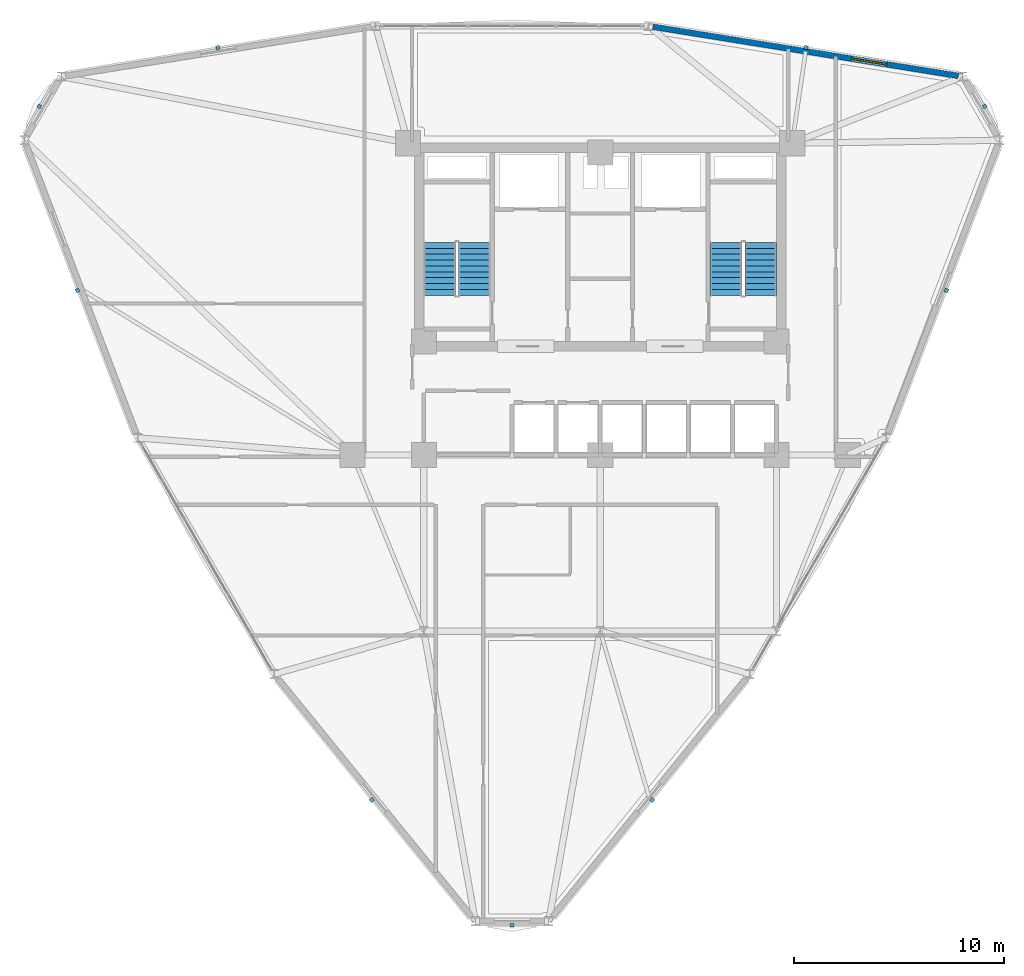
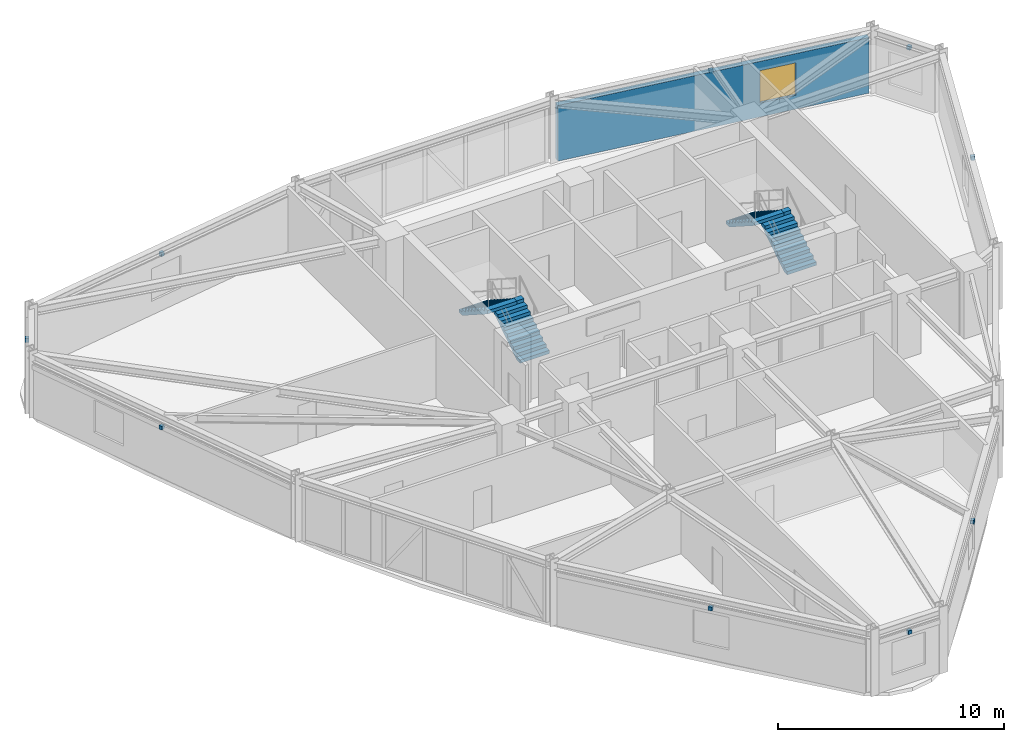
# One storey, part 12 of 15: 9 discrete accessories, 4 stair flights, 1 wall, 1 window, 1 opening, 2 elements without a shape of their own.
"""IFC4 building model written with IfcOpenShell, lengths in metres."""

import ifcopenshell
import ifcopenshell.guid

model = None  # the IFC model being written
_history = None  # IfcOwnerHistory: only IFC2X3 demands one
_inside = {}  # id of a spatial element -> (the spatial element, [elements in it])
_under = {}  # id of a project, library or spatial element -> (it, [spatial elements below it])
_declared = {}  # id of a project -> (the project, [libraries it declares])
_typed = {}  # id of a type object -> (the type object, [elements of that type])
_made_of = {}  # id of a material, layer set ... -> (it, [elements and type objects made of it])


def new_model(schema):
    """Start an empty IFC model of exactly this schema.

    Asked for "IFC4X3", IfcOpenShell would pick the latest addendum, in which some entities
    have other attributes; the version numbers below select the first issue.
    IFC2X3 requires an IfcOwnerHistory on every rooted entity: one is made here for all.
    """
    global model, _history
    if schema == "IFC4X3":
        model = ifcopenshell.file(schema_version=(4, 3, 0, 0))
    else:
        model = ifcopenshell.file(schema=schema)
    _inside.clear()
    _under.clear()
    _declared.clear()
    _typed.clear()
    _made_of.clear()
    _history = None
    if model.schema == "IFC2X3":
        org = make("IfcOrganization", Name="unknown")
        user = make(
            "IfcPersonAndOrganization",
            ThePerson=make("IfcPerson", FamilyName="unknown"),
            TheOrganization=org,
        )
        app = make(
            "IfcApplication",
            ApplicationDeveloper=org,
            Version="unknown",
            ApplicationFullName="unknown",
            ApplicationIdentifier="unknown",
        )
        _history = make(
            "IfcOwnerHistory",
            OwningUser=user,
            OwningApplication=app,
            ChangeAction="ADDED",
            CreationDate=0,
        )
    return model


def make(cls, **values):
    """One entity of the class cls with the attributes given. An attribute that is None is left unset."""
    return model.create_entity(
        cls, **{name: value for name, value in values.items() if value is not None}
    )


def rooted(cls, **values):
    """An entity with a GlobalId (a new one), such as an element, a storey or a relation."""
    return make(cls, GlobalId=ifcopenshell.guid.new(), OwnerHistory=_history, **values)


def si_unit(unit_type, name, prefix=None):
    """IfcSIUnit, for example si_unit("LENGTHUNIT", "METRE", prefix="MILLI")."""
    return make("IfcSIUnit", UnitType=unit_type, Prefix=prefix, Name=name)


def derived_unit(unit_type, elements):
    """IfcDerivedUnit: a product of units, each with its exponent."""
    return make(
        "IfcDerivedUnit",
        Elements=[
            make("IfcDerivedUnitElement", Unit=unit, Exponent=power)
            for unit, power in elements
        ],
        UnitType=unit_type,
    )


def assignment(units):
    """IfcUnitAssignment: the units of a project."""
    return None if units is None else make("IfcUnitAssignment", Units=units)


def point(xyz):
    """IfcCartesianPoint."""
    return None if xyz is None else make("IfcCartesianPoint", Coordinates=xyz)


def direction(xyz):
    """IfcDirection."""
    return None if xyz is None else make("IfcDirection", DirectionRatios=xyz)


def frame(location, z_axis=None, x_axis=None):
    """IfcAxis2Placement3D, a coordinate frame: its origin and axes. An axis left out is left unset."""
    return make(
        "IfcAxis2Placement3D",
        Location=point(location),
        Axis=direction(z_axis),
        RefDirection=direction(x_axis),
    )


def frame_2d(location, x_axis=None):
    """IfcAxis2Placement2D, a coordinate frame in the plane: its origin and x axis."""
    return make(
        "IfcAxis2Placement2D", Location=point(location), RefDirection=direction(x_axis)
    )


def origin():
    """The frame at (0, 0, 0) with its axes left unset."""
    return frame((0.0, 0.0, 0.0))


def origin_2d():
    """The frame at (0, 0) in the plane with its x axis left unset."""
    return frame_2d((0.0, 0.0))


def place(relative_to, where):
    """IfcLocalPlacement: puts the frame where relative to a parent placement (None: the world)."""
    return make(
        "IfcLocalPlacement", PlacementRelTo=relative_to, RelativePlacement=where
    )


def context(
    kind, dimensions, precision=None, world=None, true_north=None, identifier=None
):
    """IfcGeometricRepresentationContext, for example the 3D "Model" context."""
    return make(
        "IfcGeometricRepresentationContext",
        ContextIdentifier=identifier,
        ContextType=kind,
        CoordinateSpaceDimension=dimensions,
        Precision=precision,
        WorldCoordinateSystem=world,
        TrueNorth=true_north,
    )


def subcontext(parent, identifier, kind, view, scale=None):
    """IfcGeometricRepresentationSubContext, for example "Body" below "Model"."""
    return make(
        "IfcGeometricRepresentationSubContext",
        ContextIdentifier=identifier,
        ContextType=kind,
        ParentContext=parent,
        TargetScale=scale,
        TargetView=view,
    )


def project(units=None, contexts=None):
    """IfcProject with its units and contexts."""
    return rooted(
        "IfcProject",
        Name="project",
        RepresentationContexts=contexts,
        UnitsInContext=assignment(units),
    )


def spatial(cls, under=None, at=None, **own):
    """A site, building, storey or space (cls), placed at a placement, below another one or the project."""
    s = rooted(cls, ObjectPlacement=at, **own)
    if under is not None:
        _under.setdefault(under.id(), (under, []))[1].append(s)
    return s


def polyline(points):
    """IfcPolyline through the points."""
    return make("IfcPolyline", Points=[point(p) for p in points])


def profile(cls, at=None, kind="AREA", **sizes):
    """A parametric profile (cls). Its sizes go by their IFC names, for example OverallWidth=200.0."""
    return make(cls, ProfileType=kind, Position=at, **sizes)


def rectangle(**sizes):
    """IfcRectangleProfileDef."""
    return profile("IfcRectangleProfileDef", **sizes)


def outline(outer, holes=None, kind="AREA"):
    """IfcArbitraryClosedProfileDef: a profile drawn as a closed curve; with holes, ...WithVoids."""
    if holes is None:
        return make("IfcArbitraryClosedProfileDef", ProfileType=kind, OuterCurve=outer)
    return make(
        "IfcArbitraryProfileDefWithVoids",
        ProfileType=kind,
        OuterCurve=outer,
        InnerCurves=holes,
    )


def extrude(swept, where, along, depth):
    """IfcExtrudedAreaSolid: the profile swept, set in the frame where, extruded along a direction by depth."""
    return make(
        "IfcExtrudedAreaSolid",
        SweptArea=swept,
        Position=where,
        ExtrudedDirection=direction(along),
        Depth=depth,
    )


def shape(context_of_items, identifier, shape_type, items):
    """IfcShapeRepresentation: the items that make up one representation, for example the "Body"."""
    return make(
        "IfcShapeRepresentation",
        ContextOfItems=context_of_items,
        RepresentationIdentifier=identifier,
        RepresentationType=shape_type,
        Items=items,
    )


def source(mapping_origin, context_of_items, identifier, shape_type, items):
    """IfcRepresentationMap: a shape defined once, which mapped items show again and again."""
    return make(
        "IfcRepresentationMap",
        MappingOrigin=mapping_origin,
        MappedRepresentation=shape(context_of_items, identifier, shape_type, items),
    )


def transform(
    local_origin,
    x_axis=None,
    y_axis=None,
    z_axis=None,
    scale=None,
    scale2=None,
    scale3=None,
    uniform=True,
):
    """IfcCartesianTransformationOperator3D, or its non-uniform kind. x_axis, y_axis, z_axis: its Axis1, 2, 3."""
    if uniform:
        return make(
            "IfcCartesianTransformationOperator3D",
            Axis1=direction(x_axis),
            Axis2=direction(y_axis),
            LocalOrigin=point(local_origin),
            Scale=scale,
            Axis3=direction(z_axis),
        )
    return make(
        "IfcCartesianTransformationOperator3DnonUniform",
        Axis1=direction(x_axis),
        Axis2=direction(y_axis),
        LocalOrigin=point(local_origin),
        Scale=scale,
        Axis3=direction(z_axis),
        Scale2=scale2,
        Scale3=scale3,
    )


def mapped(mapping_source, mapping_target):
    """IfcMappedItem: shows the shape of a source again, moved by a transform."""
    return make(
        "IfcMappedItem", MappingSource=mapping_source, MappingTarget=mapping_target
    )


def material(Name=None, Category=None):
    """IfcMaterial."""
    return make("IfcMaterial", Name=Name, Category=Category)


def layer(
    of_material, thickness, ventilated=None, Name=None, Category=None, Priority=None
):
    """IfcMaterialLayer: one layer of a wall or slab, of a material (None: an air gap)."""
    return make(
        "IfcMaterialLayer",
        Material=of_material,
        LayerThickness=thickness,
        IsVentilated=ventilated,
        Name=Name,
        Category=Category,
        Priority=Priority,
    )


def layer_set(layers, Name=None):
    """IfcMaterialLayerSet."""
    return make("IfcMaterialLayerSet", MaterialLayers=layers, LayerSetName=Name)


def made_of(thing, what):
    """Note that an element or type object is made of a material, layer set ...; save() writes the relation."""
    if what is not None:
        _made_of.setdefault(what.id(), (what, []))[1].append(thing)
    return thing


def type_object(cls, material=None, **own):
    """A type object (cls), such as IfcWallType, which elements share."""
    return made_of(rooted(cls, **own), material)


def element(
    cls,
    number,
    at=None,
    inside=None,
    cuts=None,
    type_object=None,
    material=None,
    context=None,
    identifier="Body",
    shape_type=None,
    held_by="IfcProductDefinitionShape",
    body=None,
    shapes=None,
    **own,
):
    """One element of the class cls, such as IfcWall. Its Tag is "e" and its number.

    at: its placement. inside: the storey or other place that contains it. cuts: it is an
    opening in that element (IfcRelVoidsElement). A single representation is given by context,
    identifier, shape_type and body (its items); several are given by shapes. held_by: the class
    of the entity that holds the representations. save() writes the other relations.
    """
    e = rooted(cls, Tag="e%d" % number, ObjectPlacement=at, **own)
    if body is not None:
        shapes = [shape(context, identifier, shape_type, body)]
    if shapes is not None:
        e.Representation = make(held_by, Representations=shapes)
    if inside is not None:
        _inside.setdefault(inside.id(), (inside, []))[1].append(e)
    if cuts is not None:
        rooted(
            "IfcRelVoidsElement", RelatingBuildingElement=cuts, RelatedOpeningElement=e
        )
    if type_object is not None:
        _typed.setdefault(type_object.id(), (type_object, []))[1].append(e)
    return made_of(e, material)


def fill(opening, filler):
    """IfcRelFillsElement: the door or window that sits in an opening."""
    return rooted(
        "IfcRelFillsElement",
        RelatingOpeningElement=opening,
        RelatedBuildingElement=filler,
    )


def aggregate(whole, parts):
    """IfcRelAggregates: a whole, such as a stair, and the parts it consists of."""
    return rooted("IfcRelAggregates", RelatingObject=whole, RelatedObjects=parts)


def save(model, path):
    """Write the relations noted so far, then the file.

    IfcRelAggregates (storeys below a building ...), IfcRelContainedInSpatialStructure (elements
    in a storey), IfcRelDefinesByType, IfcRelAssociatesMaterial and IfcRelDeclares: one each for
    every whole, place, type object, material and project.
    """
    for whole, parts in _under.values():
        aggregate(whole, parts)
    for where, things in _inside.values():
        rooted(
            "IfcRelContainedInSpatialStructure",
            RelatedElements=things,
            RelatingStructure=where,
        )
    for kind, things in _typed.values():
        rooted("IfcRelDefinesByType", RelatedObjects=things, RelatingType=kind)
    for what, things in _made_of.values():
        rooted("IfcRelAssociatesMaterial", RelatedObjects=things, RelatingMaterial=what)
    for by, libraries in _declared.values():
        rooted("IfcRelDeclares", RelatingContext=by, RelatedDefinitions=libraries)
    model.write(path)


model = new_model("IFC4")

# Units and contexts
model_context = context("Model", 3, precision=1e-05, world=origin(), true_north=direction((0.0, 1.0)))
body_context = subcontext(model_context, "Body", "Model", "MODEL_VIEW")
ifc_project = project(units=[si_unit("LENGTHUNIT", "METRE"), si_unit("AREAUNIT", "SQUARE_METRE"), si_unit("VOLUMEUNIT", "CUBIC_METRE"), si_unit("PLANEANGLEUNIT", "RADIAN"), si_unit("MASSUNIT", "GRAM", prefix="KILO"), derived_unit("THERMALTRANSMITTANCEUNIT", [(si_unit("POWERUNIT", "WATT"), 1), (si_unit("LENGTHUNIT", "METRE"), -2), (si_unit("THERMODYNAMICTEMPERATUREUNIT", "KELVIN"), -1)])], contexts=[model_context])

# Site, building, storey
site_placement = place(None, origin())
site = spatial("IfcSite", under=ifc_project, at=site_placement, CompositionType="ELEMENT")
building_placement = place(site_placement, origin())
building = spatial("IfcBuilding", under=site, at=building_placement, Name="Korsvarv Bourse and Concert Hall", CompositionType="ELEMENT")
storey_placement = place(building_placement, frame((0.0, 0.0, 150.60009765625)))
storey = spatial("IfcBuildingStorey", under=building, at=storey_placement, Name="L38", CompositionType="ELEMENT", Elevation=150.60009765625)

# Wall, opening, window
ifc_material_1 = material(Name="Precast concrete C45/55 with fluted terracotta pier", Category="concrete")
ifc_layer = layer(ifc_material_1, 0.280029296875)
ifc_layer_set = layer_set([ifc_layer], Name="Precast concrete C45/55 with fluted terracotta pier")
wall_type = type_object("IfcWallType", Name="WL-EXT-TC2", PredefinedType="SOLIDWALL", material=ifc_layer_set)
wall_placement = place(storey_placement, frame((53.070068359375, 50.460205078125, 0.0), z_axis=(0.0, 0.0, 1.0), x_axis=(-0.987303259595, 0.158846698404, 0.0)))
wall = element("IfcWall", 1, at=wall_placement, inside=storey, type_object=wall_type, Name="L38 terracotta exterior wall EW-L38-B02", PredefinedType="SOLIDWALL", context=body_context, shape_type="SweptSolid", body=[
    extrude(rectangle(XDim=14.74560546875, YDim=0.280029296875, at=frame_2d((7.372802734375, 0.0))), origin(), (0.0, 0.0, 1.0), 3.0),
])
opening_placement = place(wall_placement, frame((3.46142578125, 0.0, 0.75)))
opening = element("IfcOpeningElement", 2, at=opening_placement, cuts=wall, Name="Opening W-01", PredefinedType="OPENING", context=body_context, shape_type="SweptSolid", body=[
    extrude(rectangle(XDim=1.699951171875, YDim=1.75, at=frame_2d((0.85009765625, 0.875))), frame((0.0, 0.14990234375, 0.0), z_axis=(0.0, -1.0, 0.0), x_axis=(1.0, 0.0, 0.0)), (0.0, 0.0, 1.0), 0.300048828125),
])
ifc_material_2 = material(Name="Thermally broken aluminium frame with triple low-E glass", Category="glass")
window_type = type_object("IfcWindowType", Name="WIN-TW1", PartitioningType="SINGLE_PANEL", PredefinedType="WINDOW", material=ifc_material_2)
window_placement = place(opening_placement, origin())
window = element("IfcWindow", 3, at=window_placement, inside=storey, type_object=window_type, Name="L38 punched facade window W-01", OverallHeight=1.75, OverallWidth=1.699951171875, PartitioningType="SINGLE_PANEL", PredefinedType="WINDOW", context=body_context, shape_type="SweptSolid", body=[
    extrude(rectangle(XDim=1.699951171875, YDim=1.75, at=frame_2d((0.85009765625, 0.875))), frame((0.0, 0.030029296875, 0.0), z_axis=(0.0, -1.0, 0.0), x_axis=(1.0, 0.0, 0.0)), (0.0, 0.0, 1.0), 0.06005859375),
])
fill(opening, window)

# Stair, stair flights
ifc_material_3 = material(Name="Precast concrete C45/55", Category="concrete")
stair_type = type_object("IfcStairType", Name="STR-TYPE-04", PredefinedType="HALF_TURN_STAIR", material=ifc_material_3)
stair_1_placement = place(storey_placement, origin())
stair_1 = element("IfcStair", 4, at=stair_1_placement, inside=storey, type_object=stair_type, Name="L38 Tower West Exit Stair ST-T1", PredefinedType="HALF_TURN_STAIR")
stair_flight_type = type_object("IfcStairFlightType", Name="FLT-TYPE-04", PredefinedType="STRAIGHT", material=ifc_material_3)
stair_flight_1_placement = place(storey_placement, frame((30.010009765625, 40.0, 0.0), z_axis=(0.0, 0.0, 1.0), x_axis=(0.0, 1.0, 0.0)))
stair_flight_1 = element("IfcStairFlight", 5, at=stair_flight_1_placement, type_object=stair_flight_type, Name="ST-T1 flight 1", NumberOfRisers=10, NumberOfTreads=9, PredefinedType="STRAIGHT", RiserHeight=0.18, TreadLength=0.28, context=body_context, shape_type="SweptSolid", body=[
    extrude(outline(polyline([(0.0, 0.0), (0.0, 0.179931640625), (0.280029296875, 0.179931640625), (0.280029296875, 0.360107421875), (0.56005859375, 0.360107421875), (0.56005859375, 0.5400390625), (0.840087890625, 0.5400390625), (0.840087890625, 0.719970703125), (1.1201171875, 0.719970703125), (1.1201171875, 0.89990234375), (1.39990234375, 0.89990234375), (1.39990234375, 1.080078125), (1.679931640625, 1.080078125), (1.679931640625, 1.260009765625), (1.9599609375, 1.260009765625), (1.9599609375, 1.43994140625), (2.239990234375, 1.43994140625), (2.239990234375, 1.6201171875), (2.52001953125, 1.6201171875), (2.52001953125, 1.800048828125), (2.52001953125, 1.44189453125), (0.277099609375, 0.0), (0.0, 0.0)])), frame((0.0, 0.75, 0.0), z_axis=(0.0, -1.0, 0.0), x_axis=(1.0, 0.0, 0.0)), (0.0, 0.0, 1.0), 1.5),
])
stair_flight_2_placement = place(storey_placement, frame((28.35009765625, 42.52001953125, 1.7998046875), z_axis=(0.0, 0.0, 1.0), x_axis=(0.0, -1.0, 0.0)))
stair_flight_2 = element("IfcStairFlight", 6, at=stair_flight_2_placement, type_object=stair_flight_type, Name="ST-T1 flight 2", NumberOfRisers=10, NumberOfTreads=9, PredefinedType="STRAIGHT", RiserHeight=0.18, TreadLength=0.28, context=body_context, shape_type="SweptSolid", body=[
    extrude(outline(polyline([(0.0, 0.0), (0.0, 0.179931640625), (0.280029296875, 0.179931640625), (0.280029296875, 0.360107421875), (0.56005859375, 0.360107421875), (0.56005859375, 0.5400390625), (0.840087890625, 0.5400390625), (0.840087890625, 0.719970703125), (1.1201171875, 0.719970703125), (1.1201171875, 0.89990234375), (1.39990234375, 0.89990234375), (1.39990234375, 1.080078125), (1.679931640625, 1.080078125), (1.679931640625, 1.260009765625), (1.9599609375, 1.260009765625), (1.9599609375, 1.43994140625), (2.239990234375, 1.43994140625), (2.239990234375, 1.6201171875), (2.52001953125, 1.6201171875), (2.52001953125, 1.800048828125), (2.52001953125, 1.44189453125), (0.277099609375, 0.0), (0.0, 0.0)])), frame((0.0, 0.75, 0.0), z_axis=(0.0, -1.0, 0.0), x_axis=(1.0, 0.0, 0.0)), (0.0, 0.0, 1.0), 1.5),
])
aggregate(stair_1, [stair_flight_1, stair_flight_2])

stair_2_placement = place(storey_placement, origin())
stair_2 = element("IfcStair", 7, at=stair_2_placement, inside=storey, type_object=stair_type, Name="L38 Tower East Exit Stair ST-T2", PredefinedType="HALF_TURN_STAIR")
stair_flight_3_placement = place(storey_placement, frame((43.64990234375, 40.0, 0.0), z_axis=(0.0, 0.0, 1.0), x_axis=(0.0, 1.0, 0.0)))
stair_flight_3 = element("IfcStairFlight", 8, at=stair_flight_3_placement, type_object=stair_flight_type, Name="ST-T2 flight 1", NumberOfRisers=10, NumberOfTreads=9, PredefinedType="STRAIGHT", RiserHeight=0.18, TreadLength=0.28, context=body_context, shape_type="SweptSolid", body=[
    extrude(outline(polyline([(0.0, 0.0), (0.0, 0.179931640625), (0.280029296875, 0.179931640625), (0.280029296875, 0.360107421875), (0.56005859375, 0.360107421875), (0.56005859375, 0.5400390625), (0.840087890625, 0.5400390625), (0.840087890625, 0.719970703125), (1.1201171875, 0.719970703125), (1.1201171875, 0.89990234375), (1.39990234375, 0.89990234375), (1.39990234375, 1.080078125), (1.679931640625, 1.080078125), (1.679931640625, 1.260009765625), (1.9599609375, 1.260009765625), (1.9599609375, 1.43994140625), (2.239990234375, 1.43994140625), (2.239990234375, 1.6201171875), (2.52001953125, 1.6201171875), (2.52001953125, 1.800048828125), (2.52001953125, 1.44189453125), (0.277099609375, 0.0), (0.0, 0.0)])), frame((0.0, 0.75, 0.0), z_axis=(0.0, -1.0, 0.0), x_axis=(1.0, 0.0, 0.0)), (0.0, 0.0, 1.0), 1.5),
])
stair_flight_4_placement = place(storey_placement, frame((41.989990234375, 42.52001953125, 1.7998046875), z_axis=(0.0, 0.0, 1.0), x_axis=(0.0, -1.0, 0.0)))
stair_flight_4 = element("IfcStairFlight", 9, at=stair_flight_4_placement, type_object=stair_flight_type, Name="ST-T2 flight 2", NumberOfRisers=10, NumberOfTreads=9, PredefinedType="STRAIGHT", RiserHeight=0.18, TreadLength=0.28, context=body_context, shape_type="SweptSolid", body=[
    extrude(outline(polyline([(0.0, 0.0), (0.0, 0.179931640625), (0.280029296875, 0.179931640625), (0.280029296875, 0.360107421875), (0.56005859375, 0.360107421875), (0.56005859375, 0.5400390625), (0.840087890625, 0.5400390625), (0.840087890625, 0.719970703125), (1.1201171875, 0.719970703125), (1.1201171875, 0.89990234375), (1.39990234375, 0.89990234375), (1.39990234375, 1.080078125), (1.679931640625, 1.080078125), (1.679931640625, 1.260009765625), (1.9599609375, 1.260009765625), (1.9599609375, 1.43994140625), (2.239990234375, 1.43994140625), (2.239990234375, 1.6201171875), (2.52001953125, 1.6201171875), (2.52001953125, 1.800048828125), (2.52001953125, 1.44189453125), (0.277099609375, 0.0), (0.0, 0.0)])), frame((0.0, 0.75, 0.0), z_axis=(0.0, -1.0, 0.0), x_axis=(1.0, 0.0, 0.0)), (0.0, 0.0, 1.0), 1.5),
])
aggregate(stair_2, [stair_flight_3, stair_flight_4])

# Discrete accessories
ifc_material_4 = material(Name="Stainless Steel S355 facade outrigger bracket", Category="steel")
discrete_accessory_type = type_object("IfcDiscreteAccessoryType", Name="ACC-BRK-1", PredefinedType="BRACKET", material=ifc_material_4)
shared_shape = source(origin(), body_context, "Body", "SweptSolid", [
    extrude(rectangle(XDim=0.179931640625, YDim=0.179931640625, at=origin_2d()), origin(), (0.0, 0.0, 1.0), 0.199951171875),
])
for number, where, z_axis, x_axis, name in (
    (10, (54.322021484375, 49.003173828125, 2.73974609375), (0.0, 0.0, 1.0), (-0.5, 0.866025403784, 0.0), "L38 terracotta sunshade bracket EW-L38-B01"),
    (11, (45.819580078125, 51.80908203125, 2.73974609375), (0.0, 0.0, 1.0), (-0.987303150973, 0.158847373537, 0.0), "L38 terracotta sunshade bracket EW-L38-B02"),
    (12, (17.780517578125, 51.80908203125, 2.68994140625), (0.0, 0.0, 1.0), (-0.987303150973, -0.158847373537, 0.0), "L38 terracotta sunshade bracket EW-L38-B04"),
    (13, (9.27783203125, 49.003173828125, 2.73974609375), (0.0, 0.0, 1.0), (-0.5, -0.866025403784, 0.0), "L38 terracotta sunshade bracket EW-L38-B05"),
    (14, (11.09912109375, 40.23681640625, 2.68994140625), (0.0, 0.0, 1.0), (0.356085714679, -0.934453296747, 0.0), "L38 terracotta sunshade bracket EW-L38-B06"),
    (15, (25.11865234375, 15.9541015625, 2.73974609375), (0.0, 0.0, 1.0), (0.631217436293, -0.77560592321, 0.0), "L38 terracotta sunshade bracket EW-L38-B08"),
    (16, (31.800048828125, 9.993896484375, 2.73974609375), (0.0, 0.0, 1.0), (1.0, 0.0, 0.0), "L38 terracotta sunshade bracket EW-L38-B09"),
    (17, (38.481201171875, 15.9541015625, 2.73974609375), (0.0, 0.0, 1.0), (0.631217436293, 0.77560592321, 0.0), "L38 terracotta sunshade bracket EW-L38-B10"),
    (18, (52.500732421875, 40.23681640625, 2.73974609375), (0.0, 0.0, 1.0), (0.356085714679, 0.934453296747, 0.0), "L38 terracotta sunshade bracket EW-L38-B12"),
):
    element("IfcDiscreteAccessory", number, at=place(storey_placement, frame(where, z_axis=z_axis, x_axis=x_axis)), inside=storey, type_object=discrete_accessory_type, Name=name, PredefinedType="BRACKET", context=body_context, shape_type="MappedRepresentation", body=[
        mapped(shared_shape, transform((0.0, 0.0, 0.0), scale=1.0)),
    ])

save(model, "model.ifc")
